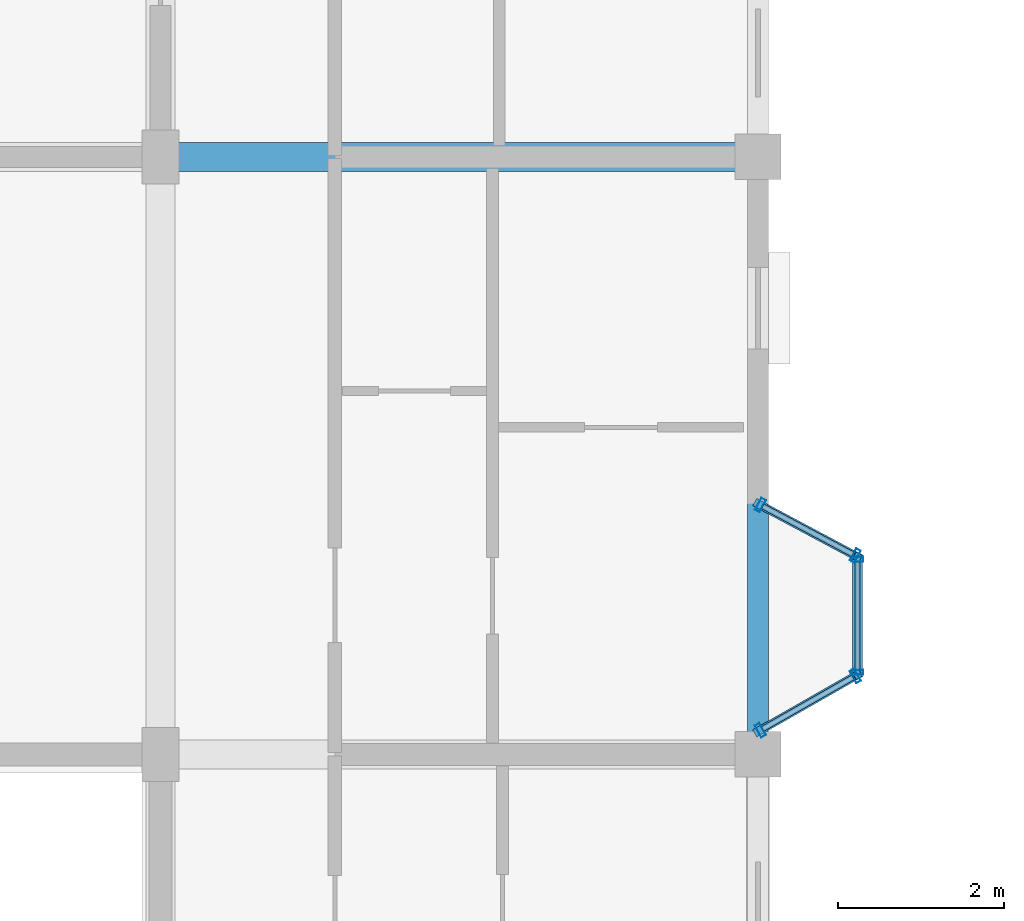
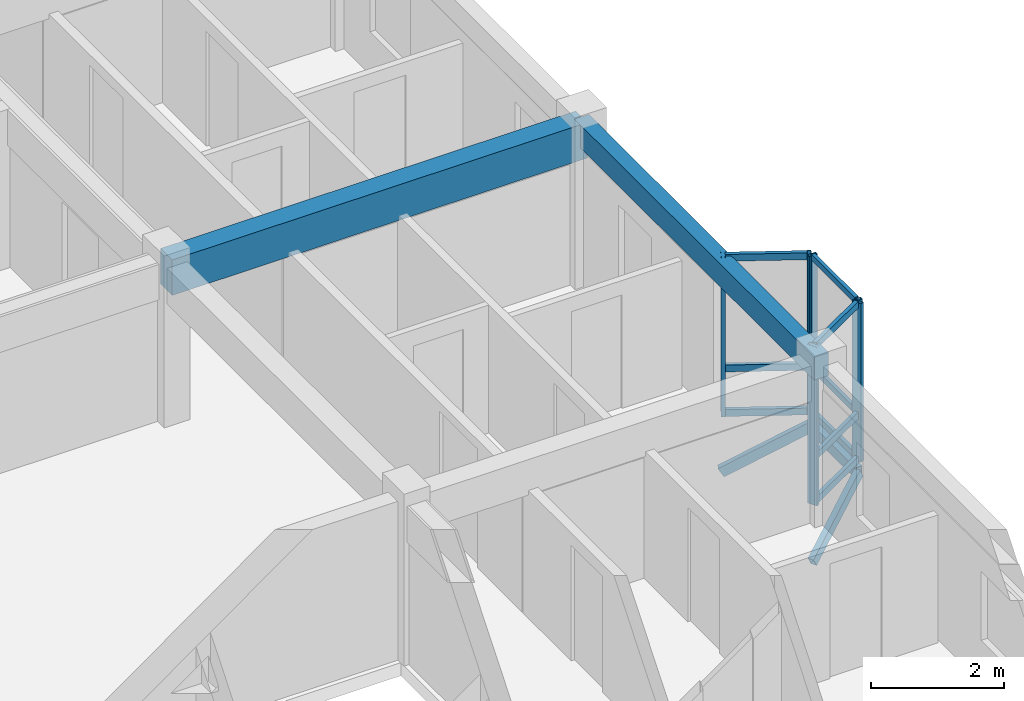
# One storey, part 19 of 77: 18 members, 2 beams, 3 elements without a shape of their own.
"""IFC4 building model written with IfcOpenShell, lengths in metres."""

from ifc_helpers import new_model, si_unit, direction, frame, origin, origin_2d, place, context, subcontext, project, spatial, rectangle, hollow_rectangle, extrude, material, layer, layer_set, material_profile, profile_set, type_object, element, aggregate, save


model = new_model("IFC4")

# Units and contexts
model_context = context("Model", 3, precision=1e-05, world=origin(), true_north=direction((0.0, 1.0)))
body_context = subcontext(model_context, "Body", "Model", "MODEL_VIEW")
ifc_project = project(units=[si_unit("LENGTHUNIT", "METRE"), si_unit("AREAUNIT", "SQUARE_METRE"), si_unit("VOLUMEUNIT", "CUBIC_METRE"), si_unit("PLANEANGLEUNIT", "RADIAN"), si_unit("MASSUNIT", "GRAM", prefix="KILO"), si_unit("THERMODYNAMICTEMPERATUREUNIT", "KELVIN"), si_unit("POWERUNIT", "WATT")], contexts=[model_context])

# Site, building, storey
site_placement = place(None, origin())
site = spatial("IfcSite", under=ifc_project, at=site_placement, CompositionType="ELEMENT")
building_placement = place(site_placement, origin())
building = spatial("IfcBuilding", under=site, at=building_placement, Name="Tavuni Mirador Residences", CompositionType="ELEMENT")
storey_placement = place(building_placement, frame((0.0, 0.0, 10.800048828125)))
storey = spatial("IfcBuildingStorey", under=building, at=storey_placement, Name="L03", CompositionType="ELEMENT", Elevation=10.800048828125)

# Beams
ifc_material_1 = material(Name="Precast concrete C40/50", Category="concrete")
ifc_material_profile_1 = material_profile(ifc_material_1, rectangle(XDim=0.35009765625, YDim=0.64990234375, at=origin_2d()), Name="PC 350x650", Category="concrete")
ifc_profile_set_1 = profile_set([ifc_material_profile_1], Name="Precast concrete C40/50")
beam_type_1 = type_object("IfcBeamType", Name="BT-B650", PredefinedType="BEAM", material=ifc_profile_set_1)
beam_1_placement = place(storey_placement, frame((18.0, 86.39990234375, 2.5849609375), z_axis=(1.0, 0.0, 0.0), x_axis=(0.0, 1.0, 0.0)))
element("IfcBeam", 1, at=beam_1_placement, inside=storey, type_object=beam_type_1, Name="BMX-BLK-B-L03-02-03", PredefinedType="BEAM", context=body_context, shape_type="SweptSolid", body=[
    extrude(rectangle(XDim=0.35009765625, YDim=0.64990234375, at=origin_2d()), origin(), (0.0, 0.0, 1.0), 7.199951171875),
])
ifc_material_profile_2 = material_profile(ifc_material_1, rectangle(XDim=0.25, YDim=0.419921875, at=origin_2d()), Name="PC 250x420", Category="concrete")
ifc_profile_set_2 = profile_set([ifc_material_profile_2], Name="Precast concrete C40/50")
beam_type_2 = type_object("IfcBeamType", Name="BT-SP420", PredefinedType="SPANDREL", material=ifc_profile_set_2)
beam_2_placement = place(storey_placement, frame((25.199951171875, 79.199951171875, 2.699951171875), z_axis=(0.0, 1.0, 0.0), x_axis=(-1.0, 0.0, 0.0)))
element("IfcBeam", 2, at=beam_2_placement, inside=storey, type_object=beam_type_2, Name="BMY-BLK-B-L03-03-02", PredefinedType="SPANDREL", context=body_context, shape_type="SweptSolid", body=[
    extrude(rectangle(XDim=0.25, YDim=0.419921875, at=origin_2d()), origin(), (0.0, 0.0, 1.0), 7.199951171875),
])

# Curtain wall, members
ifc_material_2 = material(Name="Anodised aluminium", Category="aluminium")
ifc_layer_1 = layer(ifc_material_2, 0.1650390625, Name="Anodised aluminium", Category="aluminium")
ifc_layer_set_1 = layer_set([ifc_layer_1], Name="Anodised aluminium")
curtain_wall_type_1 = type_object("IfcCurtainWallType", Name="CWT-MIR-A", PredefinedType="NOTDEFINED", material=ifc_layer_set_1)
curtain_wall_1_placement = place(storey_placement, origin())
curtain_wall_1 = element("IfcCurtainWall", 3, at=curtain_wall_1_placement, inside=storey, type_object=curtain_wall_type_1, Name="CW-MIR-B-E2-L03-MF", PredefinedType="NOTDEFINED")
ifc_material_profile_3 = material_profile(ifc_material_2, hollow_rectangle(XDim=0.06005859375, YDim=0.139892578125, WallThickness=0.00390625, at=origin_2d()), Name="ALU 60x140x4.0", Category="aluminium")
ifc_profile_set_3 = profile_set([ifc_material_profile_3], Name="Anodised aluminium")
member_type_1 = type_object("IfcMemberType", Name="CWM-140", PredefinedType="MULLION", material=ifc_profile_set_3)
member_1_placement = place(storey_placement, frame((26.39990234375, 80.18994140625, 0.0), z_axis=(0.0, 0.0, 1.0), x_axis=(0.0, 1.0, 0.0)))
member_1 = element("IfcMember", 4, at=member_1_placement, type_object=member_type_1, Name="CW-01 mullion 1", PredefinedType="MULLION", context=body_context, shape_type="SweptSolid", body=[
    extrude(hollow_rectangle(XDim=0.06005859375, YDim=0.139892578125, WallThickness=0.00390625, at=origin_2d()), origin(), (0.0, 0.0, 1.0), 2.909912109375),
])
member_2_placement = place(storey_placement, frame((26.39990234375, 81.550048828125, 0.0), z_axis=(0.0, 0.0, 1.0), x_axis=(0.0, 1.0, 0.0)))
member_2 = element("IfcMember", 5, at=member_2_placement, type_object=member_type_1, Name="CW-01 mullion 2", PredefinedType="MULLION", context=body_context, shape_type="SweptSolid", body=[
    extrude(hollow_rectangle(XDim=0.06005859375, YDim=0.139892578125, WallThickness=0.00390625, at=origin_2d()), origin(), (0.0, 0.0, 1.0), 2.909912109375),
])

ifc_layer_2 = layer(ifc_material_2, 0.159912109375, Name="Anodised aluminium", Category="aluminium")
ifc_layer_set_2 = layer_set([ifc_layer_2], Name="Anodised aluminium")
curtain_wall_type_2 = type_object("IfcCurtainWallType", Name="CWT-MIR-D", PredefinedType="NOTDEFINED", material=ifc_layer_set_2)
curtain_wall_2_placement = place(storey_placement, origin())
curtain_wall_2 = element("IfcCurtainWall", 6, at=curtain_wall_2_placement, inside=storey, type_object=curtain_wall_type_2, Name="CW-MIR-B-E2-L03-M1", PredefinedType="NOTDEFINED")
ifc_material_profile_4 = material_profile(ifc_material_2, hollow_rectangle(XDim=0.06494140625, YDim=0.1650390625, WallThickness=0.00439453125, at=origin_2d()), Name="ALU 65x165x4.5", Category="aluminium")
ifc_profile_set_4 = profile_set([ifc_material_profile_4], Name="Anodised aluminium")
member_type_2 = type_object("IfcMemberType", Name="CWM-165", PredefinedType="MULLION", material=ifc_profile_set_4)
member_3_placement = place(storey_placement, frame((25.228271484375, 79.4912109375, 0.0), z_axis=(0.0, 0.0, 1.0), x_axis=(0.868465738194, 0.495749192217, 0.0)))
member_3 = element("IfcMember", 7, at=member_3_placement, type_object=member_type_2, Name="CW-04 mullion 1", PredefinedType="MULLION", context=body_context, shape_type="SweptSolid", body=[
    extrude(hollow_rectangle(XDim=0.06494140625, YDim=0.1650390625, WallThickness=0.00439453125, at=origin_2d()), origin(), (0.0, 0.0, 1.0), 2.909912109375),
])
member_4_placement = place(storey_placement, frame((26.371826171875, 80.143798828125, 0.0), z_axis=(0.0, 0.0, 1.0), x_axis=(0.868465738194, 0.495749192217, 0.0)))
member_4 = element("IfcMember", 8, at=member_4_placement, type_object=member_type_2, Name="CW-04 mullion 2", PredefinedType="MULLION", context=body_context, shape_type="SweptSolid", body=[
    extrude(hollow_rectangle(XDim=0.06494140625, YDim=0.1650390625, WallThickness=0.00439453125, at=origin_2d()), origin(), (0.0, 0.0, 1.0), 2.909912109375),
])

ifc_layer_3 = layer(ifc_material_2, 0.14990234375, Name="Anodised aluminium", Category="aluminium")
ifc_layer_set_3 = layer_set([ifc_layer_3], Name="Anodised aluminium")
curtain_wall_type_3 = type_object("IfcCurtainWallType", Name="CWT-MIR-B", PredefinedType="NOTDEFINED", material=ifc_layer_set_3)
curtain_wall_3_placement = place(storey_placement, origin())
curtain_wall_3 = element("IfcCurtainWall", 9, at=curtain_wall_3_placement, inside=storey, type_object=curtain_wall_type_3, Name="CW-MIR-B-E2-L03-M2", PredefinedType="NOTDEFINED")
member_5_placement = place(storey_placement, frame((26.371337890625, 81.59521484375, 0.0), z_axis=(0.0, 0.0, 1.0), x_axis=(-0.882352941175, 0.470588235296, 0.0)))
member_5 = element("IfcMember", 10, at=member_5_placement, type_object=member_type_2, Name="CW-02 mullion 1", PredefinedType="MULLION", context=body_context, shape_type="SweptSolid", body=[
    extrude(hollow_rectangle(XDim=0.06494140625, YDim=0.1650390625, WallThickness=0.00439453125, at=origin_2d()), origin(), (0.0, 0.0, 1.0), 2.909912109375),
])
member_6_placement = place(storey_placement, frame((25.228759765625, 82.20458984375, 0.0), z_axis=(0.0, 0.0, 1.0), x_axis=(-0.882352941175, 0.470588235296, 0.0)))
member_6 = element("IfcMember", 11, at=member_6_placement, type_object=member_type_2, Name="CW-02 mullion 2", PredefinedType="MULLION", context=body_context, shape_type="SweptSolid", body=[
    extrude(hollow_rectangle(XDim=0.06494140625, YDim=0.1650390625, WallThickness=0.00439453125, at=origin_2d()), origin(), (0.0, 0.0, 1.0), 2.909912109375),
])

# Member
ifc_material_profile_5 = material_profile(ifc_material_2, hollow_rectangle(XDim=0.06005859375, YDim=0.110107421875, WallThickness=0.00390625, at=origin_2d()), Name="ALU 60x110x4.0", Category="aluminium")
ifc_profile_set_5 = profile_set([ifc_material_profile_5], Name="Anodised aluminium")
member_type_3 = type_object("IfcMemberType", Name="CWT-110", PredefinedType="USERDEFINED", material=ifc_profile_set_5)
member_7_placement = place(storey_placement, frame((26.39990234375, 80.219970703125, 0.030029296875), z_axis=(0.0, 1.0, 0.0), x_axis=(-1.0, 0.0, 0.0)))
member_7 = element("IfcMember", 12, at=member_7_placement, type_object=member_type_3, Name="CW-01 transom 1.1", ObjectType="TRANSOM", PredefinedType="USERDEFINED", context=body_context, shape_type="SweptSolid", body=[
    extrude(hollow_rectangle(XDim=0.06005859375, YDim=0.110107421875, WallThickness=0.00390625, at=origin_2d()), origin(), (0.0, 0.0, 1.0), 1.300048828125),
])

member_8_placement = place(storey_placement, frame((26.39990234375, 80.219970703125, 0.849853515625), z_axis=(0.0, 1.0, 0.0), x_axis=(-1.0, 0.0, 0.0)))
member_8 = element("IfcMember", 13, at=member_8_placement, type_object=member_type_3, Name="CW-01 transom 1.2", ObjectType="TRANSOM", PredefinedType="USERDEFINED", context=body_context, shape_type="SweptSolid", body=[
    extrude(hollow_rectangle(XDim=0.06005859375, YDim=0.110107421875, WallThickness=0.00390625, at=origin_2d()), origin(), (0.0, 0.0, 1.0), 1.300048828125),
])

member_9_placement = place(storey_placement, frame((26.39990234375, 80.219970703125, 2.8798828125), z_axis=(0.0, 1.0, 0.0), x_axis=(-1.0, 0.0, 0.0)))
member_9 = element("IfcMember", 14, at=member_9_placement, type_object=member_type_3, Name="CW-01 transom 1.3", ObjectType="TRANSOM", PredefinedType="USERDEFINED", context=body_context, shape_type="SweptSolid", body=[
    extrude(hollow_rectangle(XDim=0.06005859375, YDim=0.110107421875, WallThickness=0.00390625, at=origin_2d()), origin(), (0.0, 0.0, 1.0), 1.300048828125),
])

aggregate(curtain_wall_1, [member_1, member_2, member_7, member_8, member_9])

ifc_material_profile_6 = material_profile(ifc_material_2, hollow_rectangle(XDim=0.06494140625, YDim=0.125, WallThickness=0.00439453125, at=origin_2d()), Name="ALU 65x125x4.5", Category="aluminium")
ifc_profile_set_6 = profile_set([ifc_material_profile_6], Name="Anodised aluminium")
member_type_4 = type_object("IfcMemberType", Name="CWT-125", PredefinedType="USERDEFINED", material=ifc_profile_set_6)
member_10_placement = place(storey_placement, frame((25.25634765625, 79.50732421875, 0.032470703125), z_axis=(0.868543055203, 0.495613721822, 0.0), x_axis=(-0.495613721822, 0.868543055203, 0.0)))
member_10 = element("IfcMember", 15, at=member_10_placement, type_object=member_type_4, Name="CW-04 transom 1.1", ObjectType="TRANSOM", PredefinedType="USERDEFINED", context=body_context, shape_type="SweptSolid", body=[
    extrude(hollow_rectangle(XDim=0.06494140625, YDim=0.125, WallThickness=0.00439453125, at=origin_2d()), origin(), (0.0, 0.0, 1.0), 1.251708984375),
])

member_11_placement = place(storey_placement, frame((25.25634765625, 79.50732421875, 0.849853515625), z_axis=(0.868543055203, 0.495613721822, 0.0), x_axis=(-0.495613721822, 0.868543055203, 0.0)))
member_11 = element("IfcMember", 16, at=member_11_placement, type_object=member_type_4, Name="CW-04 transom 1.2", ObjectType="TRANSOM", PredefinedType="USERDEFINED", context=body_context, shape_type="SweptSolid", body=[
    extrude(hollow_rectangle(XDim=0.06494140625, YDim=0.125, WallThickness=0.00439453125, at=origin_2d()), origin(), (0.0, 0.0, 1.0), 1.251708984375),
])

member_12_placement = place(storey_placement, frame((25.25634765625, 79.50732421875, 2.87744140625), z_axis=(0.868543055203, 0.495613721822, 0.0), x_axis=(-0.495613721822, 0.868543055203, 0.0)))
member_12 = element("IfcMember", 17, at=member_12_placement, type_object=member_type_4, Name="CW-04 transom 1.3", ObjectType="TRANSOM", PredefinedType="USERDEFINED", context=body_context, shape_type="SweptSolid", body=[
    extrude(hollow_rectangle(XDim=0.06494140625, YDim=0.125, WallThickness=0.00439453125, at=origin_2d()), origin(), (0.0, 0.0, 1.0), 1.251708984375),
])

aggregate(curtain_wall_2, [member_3, member_4, member_10, member_11, member_12])

member_13_placement = place(storey_placement, frame((26.342529296875, 81.610595703125, 0.032470703125), z_axis=(-0.882325465843, 0.470639747922, 0.0), x_axis=(-0.470639747922, -0.882325465843, 0.0)))
member_13 = element("IfcMember", 18, at=member_13_placement, type_object=member_type_4, Name="CW-02 transom 1.1", ObjectType="TRANSOM", PredefinedType="USERDEFINED", context=body_context, shape_type="SweptSolid", body=[
    extrude(hollow_rectangle(XDim=0.06494140625, YDim=0.125, WallThickness=0.00439453125, at=origin_2d()), origin(), (0.0, 0.0, 1.0), 1.22998046875),
])

member_14_placement = place(storey_placement, frame((26.342529296875, 81.610595703125, 0.849853515625), z_axis=(-0.882325465843, 0.470639747922, 0.0), x_axis=(-0.470639747922, -0.882325465843, 0.0)))
member_14 = element("IfcMember", 19, at=member_14_placement, type_object=member_type_4, Name="CW-02 transom 1.2", ObjectType="TRANSOM", PredefinedType="USERDEFINED", context=body_context, shape_type="SweptSolid", body=[
    extrude(hollow_rectangle(XDim=0.06494140625, YDim=0.125, WallThickness=0.00439453125, at=origin_2d()), origin(), (0.0, 0.0, 1.0), 1.22998046875),
])

member_15_placement = place(storey_placement, frame((26.342529296875, 81.610595703125, 2.87744140625), z_axis=(-0.882325465843, 0.470639747922, 0.0), x_axis=(-0.470639747922, -0.882325465843, 0.0)))
member_15 = element("IfcMember", 20, at=member_15_placement, type_object=member_type_4, Name="CW-02 transom 1.3", ObjectType="TRANSOM", PredefinedType="USERDEFINED", context=body_context, shape_type="SweptSolid", body=[
    extrude(hollow_rectangle(XDim=0.06494140625, YDim=0.125, WallThickness=0.00439453125, at=origin_2d()), origin(), (0.0, 0.0, 1.0), 1.22998046875),
])

aggregate(curtain_wall_3, [member_5, member_6, member_13, member_14, member_15])

# Members
ifc_material_3 = material(Name="Structural steel S355", Category="steel")
ifc_material_profile_7 = material_profile(ifc_material_3, hollow_rectangle(XDim=0.10009765625, YDim=0.179931640625, WallThickness=0.008056640625, at=origin_2d()), Name="RHS 180x100x8.0", Category="steel")
ifc_profile_set_7 = profile_set([ifc_material_profile_7], Name="Structural steel S355")
member_type_5 = type_object("IfcMemberType", Name="MT-BR-RHS180", PredefinedType="BRACE", material=ifc_profile_set_7)
member_16_placement = place(storey_placement, frame((25.199951171875, 79.47509765625, -1.050048828125), z_axis=(0.749231067094, 0.427587618148, 0.505788134408), x_axis=(-0.49566311428, 0.868514868694, 0.0)))
element("IfcMember", 21, at=member_16_placement, inside=storey, type_object=member_type_5, Name="MBRK-MIR-B-E2-L03-1", PredefinedType="BRACE", context=body_context, shape_type="SweptSolid", body=[
    extrude(hollow_rectangle(XDim=0.10009765625, YDim=0.179931640625, WallThickness=0.008056640625, at=origin_2d()), origin(), (0.0, 0.0, 1.0), 1.6015625),
])
member_17_placement = place(storey_placement, frame((25.199951171875, 82.219970703125, -1.050048828125), z_axis=(0.758076235047, -0.404255912931, 0.511759297637), x_axis=(0.47054164445, 0.882377788047, 0.0)))
element("IfcMember", 22, at=member_17_placement, inside=storey, type_object=member_type_5, Name="MBRK-MIR-B-E2-L03-2", PredefinedType="BRACE", context=body_context, shape_type="SweptSolid", body=[
    extrude(hollow_rectangle(XDim=0.10009765625, YDim=0.179931640625, WallThickness=0.008056640625, at=origin_2d()), origin(), (0.0, 0.0, 1.0), 1.5830078125),
])
ifc_material_profile_8 = material_profile(ifc_material_3, hollow_rectangle(XDim=0.1201171875, YDim=0.199951171875, WallThickness=0.010009765625, at=origin_2d()), Name="RHS 200x120x10.0", Category="steel")
ifc_profile_set_8 = profile_set([ifc_material_profile_8], Name="Structural steel S355")
member_type_6 = type_object("IfcMemberType", Name="MT-ST-RHS200", PredefinedType="STRUT", material=ifc_profile_set_8)
member_18_placement = place(storey_placement, frame((26.39990234375, 80.159912109375, -0.239990234375), z_axis=(0.0, 1.0, 0.0), x_axis=(-1.0, 0.0, 0.0)))
element("IfcMember", 23, at=member_18_placement, inside=storey, type_object=member_type_6, Name="MRIM-MIR-B-E2-L03", PredefinedType="STRUT", context=body_context, shape_type="SweptSolid", body=[
    extrude(hollow_rectangle(XDim=0.1201171875, YDim=0.199951171875, WallThickness=0.010009765625, at=origin_2d()), origin(), (0.0, 0.0, 1.0), 1.420166015625),
])

save(model, "model.ifc")
